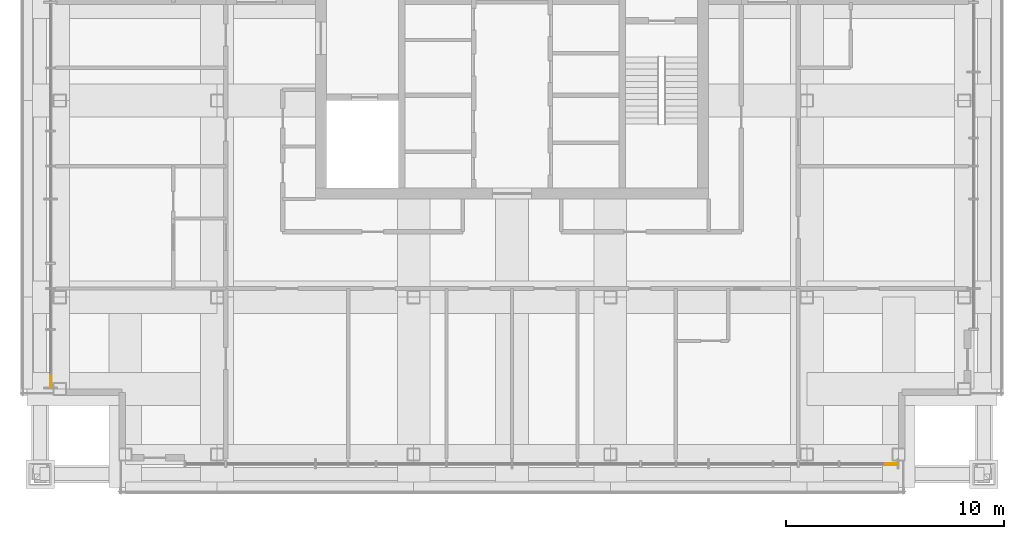
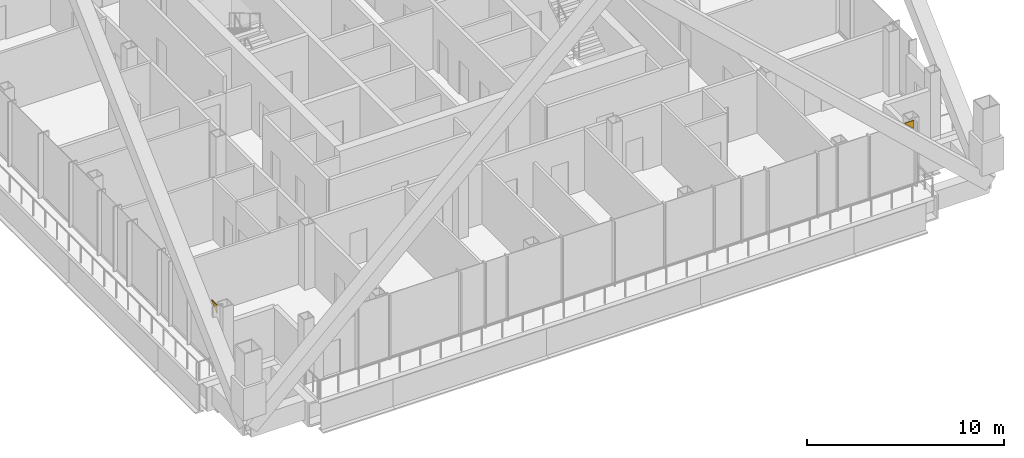
# One storey, part 18 of 19: 2 coverings.
"""IFC4 building model written with IfcOpenShell, lengths in metres."""

from ifc_helpers import new_model, si_unit, direction, frame, origin, place, context, subcontext, project, spatial, polyline, outline, extrude, material, layer, layer_set, type_object, element, save


model = new_model("IFC4")

# Units and contexts
model_context = context("Model", 3, precision=1e-05, world=origin(), true_north=direction((0.0, 1.0)))
body_context = subcontext(model_context, "Body", "Model", "MODEL_VIEW")
ifc_project = project(units=[si_unit("LENGTHUNIT", "METRE"), si_unit("AREAUNIT", "SQUARE_METRE"), si_unit("VOLUMEUNIT", "CUBIC_METRE"), si_unit("PLANEANGLEUNIT", "RADIAN"), si_unit("MASSUNIT", "GRAM", prefix="KILO")], contexts=[model_context])

# Site, building, storey
site_placement = place(None, origin())
site = spatial("IfcSite", under=ifc_project, at=site_placement, CompositionType="ELEMENT")
building_placement = place(site_placement, origin())
building = spatial("IfcBuilding", under=site, at=building_placement, Name="Malebo Sky Hospital", CompositionType="ELEMENT")
storey_placement = place(building_placement, frame((0.0, 0.0, 250.0)))
storey = spatial("IfcBuildingStorey", under=building, at=storey_placement, Name="L60", CompositionType="ELEMENT", Elevation=250.0)

# Coverings
ifc_material = material(Name="Anodised aluminium, natural silver insulated infill panel", Category="aluminium")
ifc_layer = layer(ifc_material, 0.0400390625)
ifc_layer_set = layer_set([ifc_layer], Name="BRACE INFILL PANEL 40")
covering_type = type_object("IfcCoveringType", Name="BRACE INFILL PANEL 40", PredefinedType="CLADDING", material=ifc_layer_set)
for number, where, z_axis, x_axis, name in (
    (1, (38.875, 44.660888671875, 3.454833984375), (0.0, 0.0, 1.0), (0.0, 1.0, 0.0), "Brace infill panel 1.1"),
    (2, (77.339111328125, 40.875, 3.454833984375), (0.0, 0.0, 1.0), (-1.0, 0.0, 0.0), "Brace infill panel 1.1"),
):
    element("IfcCovering", number, at=place(storey_placement, frame(where, z_axis=z_axis, x_axis=x_axis)), inside=storey, type_object=covering_type, Name=name, PredefinedType="CLADDING", context=body_context, shape_type="SweptSolid", body=[
        extrude(outline(polyline([(-0.285888671875, 0.0), (0.28564453125, 0.53515625), (-0.285888671875, 0.53515625), (-0.285888671875, 0.0)])), frame((0.0, 0.02001953125, 0.0), z_axis=(0.0, -1.0, 0.0), x_axis=(1.0, 0.0, 0.0)), (0.0, 0.0, 1.0), 0.0400390625),
    ])

save(model, "model.ifc")
